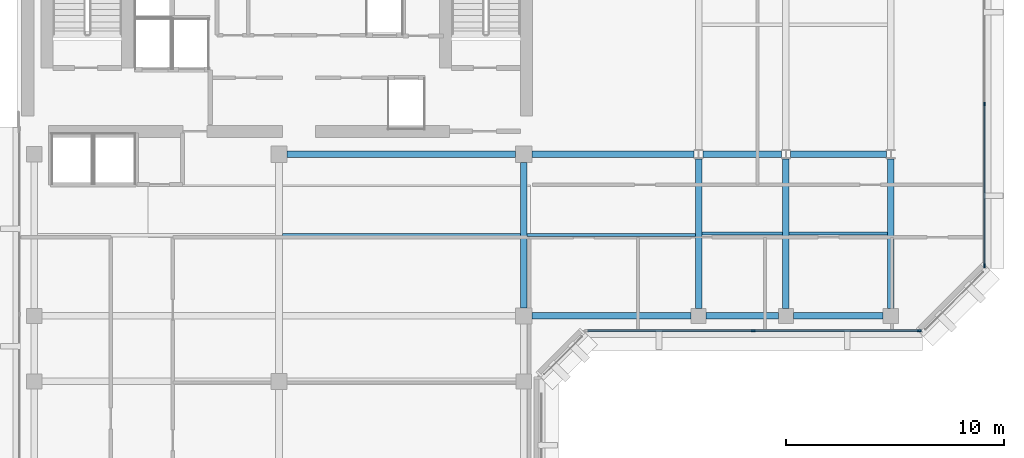
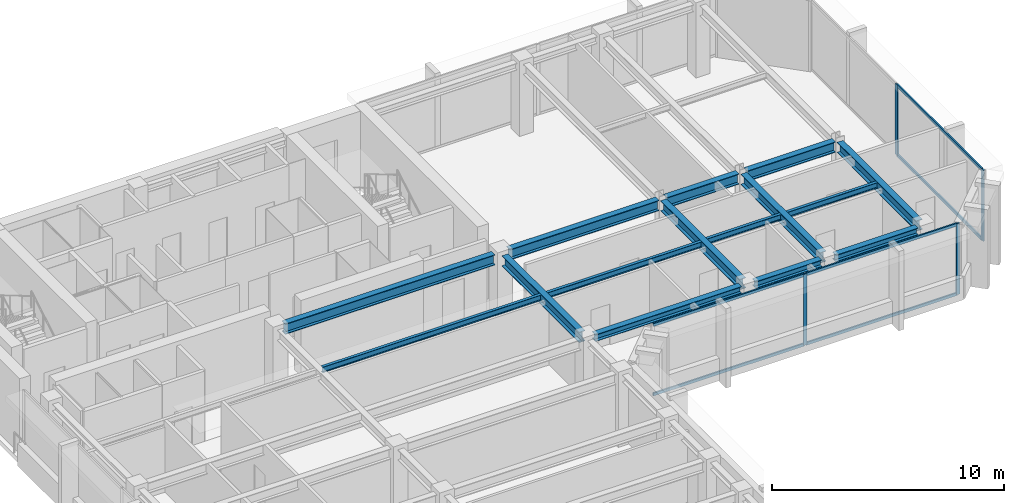
# One storey, part 3 of 12: 15 beams, 10 members, 2 elements without a shape of their own.
"""IFC4 building model written with IfcOpenShell, lengths in metres."""

from ifc_helpers import new_model, si_unit, direction, frame, origin, origin_2d, place, context, subcontext, project, spatial, rectangle, i_section, extrude, material, layer, layer_set, material_profile, profile_set, type_object, element, aggregate, save


model = new_model("IFC4")

# Units and contexts
model_context = context("Model", 3, precision=1e-05, world=origin(), true_north=direction((0.0, 1.0)))
body_context = subcontext(model_context, "Body", "Model", "MODEL_VIEW")
ifc_project = project(units=[si_unit("LENGTHUNIT", "METRE"), si_unit("AREAUNIT", "SQUARE_METRE"), si_unit("VOLUMEUNIT", "CUBIC_METRE"), si_unit("PLANEANGLEUNIT", "RADIAN"), si_unit("MASSUNIT", "GRAM", prefix="KILO")], contexts=[model_context])

# Site, building, storey
site_placement = place(None, origin())
site = spatial("IfcSite", under=ifc_project, at=site_placement, CompositionType="ELEMENT")
building_placement = place(site_placement, origin())
building = spatial("IfcBuilding", under=site, at=building_placement, Name="Kefirva Bronze Tower", CompositionType="ELEMENT")
storey_placement = place(building_placement, frame((0.0, 0.0, 280.169921875)))
storey = spatial("IfcBuildingStorey", under=building, at=storey_placement, Name="L68", CompositionType="ELEMENT", Elevation=280.169921875)

# Curtain wall, members
ifc_material_1 = material(Name="Bronze anodised aluminium", Category="aluminium")
ifc_layer = layer(ifc_material_1, 0.179931640625, Name="Bronze anodised aluminium")
ifc_layer_set = layer_set([ifc_layer], Name="Bronze anodised aluminium")
curtain_wall_type = type_object("IfcCurtainWallType", Name="Unitised Bronze Ribbon Curtain Wall Zone 4", PredefinedType="USERDEFINED", material=ifc_layer_set)
curtain_wall_1_placement = place(storey_placement, origin())
curtain_wall_1 = element("IfcCurtainWall", 1, at=curtain_wall_1_placement, inside=storey, type_object=curtain_wall_type, Name="L68 Curtain Wall 1", ObjectType="UNITISED CURTAIN WALL", PredefinedType="USERDEFINED")
ifc_material_profile_1 = material_profile(ifc_material_1, rectangle(XDim=0.074951171875, YDim=0.179931640625, at=origin_2d()), Name="ALU 75x180")
ifc_profile_set_1 = profile_set([ifc_material_profile_1], Name="Bronze anodised aluminium")
member_type_1 = type_object("IfcMemberType", Name="Bronze Mullion 75x180", PredefinedType="MULLION", material=ifc_profile_set_1)
member_1_placement = place(storey_placement, frame((33.699951171875, 25.1201171875, 0.0), z_axis=(0.0, 0.0, 1.0), x_axis=(0.0, 1.0, 0.0)))
member_1 = element("IfcMember", 2, at=member_1_placement, type_object=member_type_1, Name="CW-04 mullion 2", PredefinedType="MULLION", context=body_context, shape_type="SweptSolid", body=[
    extrude(rectangle(XDim=0.074951171875, YDim=0.179931640625, at=origin_2d()), origin(), (0.0, 0.0, 1.0), 3.739990234375),
])
member_2_placement = place(storey_placement, frame((41.3076171875, 25.1201171875, 0.0), z_axis=(0.0, 0.0, 1.0), x_axis=(0.0, 1.0, 0.0)))
member_2 = element("IfcMember", 3, at=member_2_placement, type_object=member_type_1, Name="CW-04 mullion 3", PredefinedType="MULLION", context=body_context, shape_type="SweptSolid", body=[
    extrude(rectangle(XDim=0.074951171875, YDim=0.179931640625, at=origin_2d()), origin(), (0.0, 0.0, 1.0), 3.739990234375),
])

curtain_wall_2_placement = place(storey_placement, origin())
curtain_wall_2 = element("IfcCurtainWall", 4, at=curtain_wall_2_placement, inside=storey, type_object=curtain_wall_type, Name="L68 Curtain Wall 2", ObjectType="UNITISED CURTAIN WALL", PredefinedType="USERDEFINED")
member_3_placement = place(storey_placement, frame((44.280029296875, 28.092529296875, 0.0), z_axis=(0.0, 0.0, 1.0), x_axis=(-1.0, 0.0, 0.0)))
member_3 = element("IfcMember", 5, at=member_3_placement, type_object=member_type_1, Name="CW-04 mullion 1", PredefinedType="MULLION", context=body_context, shape_type="SweptSolid", body=[
    extrude(rectangle(XDim=0.074951171875, YDim=0.179931640625, at=origin_2d()), origin(), (0.0, 0.0, 1.0), 3.739990234375),
])
member_4_placement = place(storey_placement, frame((44.280029296875, 35.5, 0.0), z_axis=(0.0, 0.0, 1.0), x_axis=(-1.0, 0.0, 0.0)))
member_4 = element("IfcMember", 6, at=member_4_placement, type_object=member_type_1, Name="CW-04 mullion 2", PredefinedType="MULLION", context=body_context, shape_type="SweptSolid", body=[
    extrude(rectangle(XDim=0.074951171875, YDim=0.179931640625, at=origin_2d()), origin(), (0.0, 0.0, 1.0), 3.739990234375),
])

# Member
ifc_material_profile_2 = material_profile(ifc_material_1, rectangle(XDim=0.074951171875, YDim=0.14990234375, at=origin_2d()), Name="ALU 75x150")
ifc_profile_set_2 = profile_set([ifc_material_profile_2], Name="Bronze anodised aluminium")
member_type_2 = type_object("IfcMemberType", Name="Bronze Transom 75x150", PredefinedType="USERDEFINED", material=ifc_profile_set_2)
member_5_placement = place(storey_placement, frame((26.1298828125, 25.1201171875, 0.03759765625), z_axis=(1.0, 0.0, 0.0), x_axis=(0.0, 1.0, 0.0)))
member_5 = element("IfcMember", 7, at=member_5_placement, type_object=member_type_2, Name="CW-04 transom 1.1", ObjectType="TRANSOM", PredefinedType="USERDEFINED", context=body_context, shape_type="SweptSolid", body=[
    extrude(rectangle(XDim=0.074951171875, YDim=0.14990234375, at=origin_2d()), origin(), (0.0, 0.0, 1.0), 7.53271484375),
])

member_6_placement = place(storey_placement, frame((26.1298828125, 25.1201171875, 3.70263671875), z_axis=(1.0, 0.0, 0.0), x_axis=(0.0, 1.0, 0.0)))
member_6 = element("IfcMember", 8, at=member_6_placement, type_object=member_type_2, Name="CW-04 transom 1.2", ObjectType="TRANSOM", PredefinedType="USERDEFINED", context=body_context, shape_type="SweptSolid", body=[
    extrude(rectangle(XDim=0.074951171875, YDim=0.14990234375, at=origin_2d()), origin(), (0.0, 0.0, 1.0), 7.53271484375),
])

member_7_placement = place(storey_placement, frame((33.737548828125, 25.1201171875, 0.03759765625), z_axis=(1.0, 0.0, 0.0), x_axis=(0.0, 1.0, 0.0)))
member_7 = element("IfcMember", 9, at=member_7_placement, type_object=member_type_2, Name="CW-04 transom 2.1", ObjectType="TRANSOM", PredefinedType="USERDEFINED", context=body_context, shape_type="SweptSolid", body=[
    extrude(rectangle(XDim=0.074951171875, YDim=0.14990234375, at=origin_2d()), origin(), (0.0, 0.0, 1.0), 7.532470703125),
])

member_8_placement = place(storey_placement, frame((33.737548828125, 25.1201171875, 3.70263671875), z_axis=(1.0, 0.0, 0.0), x_axis=(0.0, 1.0, 0.0)))
member_8 = element("IfcMember", 10, at=member_8_placement, type_object=member_type_2, Name="CW-04 transom 2.2", ObjectType="TRANSOM", PredefinedType="USERDEFINED", context=body_context, shape_type="SweptSolid", body=[
    extrude(rectangle(XDim=0.074951171875, YDim=0.14990234375, at=origin_2d()), origin(), (0.0, 0.0, 1.0), 7.532470703125),
])

aggregate(curtain_wall_1, [member_1, member_2, member_5, member_6, member_7, member_8])

member_9_placement = place(storey_placement, frame((44.280029296875, 28.1298828125, 0.03759765625), z_axis=(0.0, 1.0, 0.0), x_axis=(-1.0, 0.0, 0.0)))
member_9 = element("IfcMember", 11, at=member_9_placement, type_object=member_type_2, Name="CW-04 transom 1.1", ObjectType="TRANSOM", PredefinedType="USERDEFINED", context=body_context, shape_type="SweptSolid", body=[
    extrude(rectangle(XDim=0.074951171875, YDim=0.14990234375, at=origin_2d()), origin(), (0.0, 0.0, 1.0), 7.33251953125),
])

member_10_placement = place(storey_placement, frame((44.280029296875, 28.1298828125, 3.70263671875), z_axis=(0.0, 1.0, 0.0), x_axis=(-1.0, 0.0, 0.0)))
member_10 = element("IfcMember", 12, at=member_10_placement, type_object=member_type_2, Name="CW-04 transom 1.2", ObjectType="TRANSOM", PredefinedType="USERDEFINED", context=body_context, shape_type="SweptSolid", body=[
    extrude(rectangle(XDim=0.074951171875, YDim=0.14990234375, at=origin_2d()), origin(), (0.0, 0.0, 1.0), 7.33251953125),
])

aggregate(curtain_wall_2, [member_3, member_4, member_9, member_10])

# Beams
ifc_material_2 = material(Name="Steel S355", Category="steel")
ifc_material_profile_3 = material_profile(ifc_material_2, i_section(OverallWidth=0.14990234375, OverallDepth=0.300048828125, WebThickness=0.007080078125, FlangeThickness=0.0107421875, at=origin_2d()), Name="IPE 300")
ifc_profile_set_3 = profile_set([ifc_material_profile_3], Name="Steel S355")
beam_type_1 = type_object("IfcBeamType", Name="Steel Floor Joist IPE 300", PredefinedType="JOIST", material=ifc_profile_set_3)
beam_1_placement = place(storey_placement, frame((12.14990234375, 29.5, 3.590087890625), z_axis=(1.0, 0.0, 0.0), x_axis=(0.0, 1.0, 0.0)))
element("IfcBeam", 13, at=beam_1_placement, inside=storey, type_object=beam_type_1, Name="L68 JST-L68-12-295", PredefinedType="JOIST", context=body_context, shape_type="SweptSolid", body=[
    extrude(i_section(OverallWidth=0.14990234375, OverallDepth=0.300048828125, WebThickness=0.007080078125, FlangeThickness=0.0107421875, at=origin_2d()), origin(), (0.0, 0.0, 1.0), 10.900146484375),
])
beam_2_placement = place(storey_placement, frame((23.35009765625, 29.5, 3.590087890625), z_axis=(1.0, 0.0, 0.0), x_axis=(0.0, 1.0, 0.0)))
element("IfcBeam", 14, at=beam_2_placement, inside=storey, type_object=beam_type_1, Name="L68 JST-L68-23-295", PredefinedType="JOIST", context=body_context, shape_type="SweptSolid", body=[
    extrude(i_section(OverallWidth=0.14990234375, OverallDepth=0.300048828125, WebThickness=0.007080078125, FlangeThickness=0.0107421875, at=origin_2d()), origin(), (0.0, 0.0, 1.0), 7.699951171875),
])
beam_3_placement = place(storey_placement, frame((31.35009765625, 29.571044921875, 3.590087890625), z_axis=(1.0, 0.0, 0.0), x_axis=(0.0, 1.0, 0.0)))
element("IfcBeam", 15, at=beam_3_placement, inside=storey, type_object=beam_type_1, Name="L68 JST-L68-31-295", PredefinedType="JOIST", context=body_context, shape_type="SweptSolid", body=[
    extrude(i_section(OverallWidth=0.14990234375, OverallDepth=0.300048828125, WebThickness=0.007080078125, FlangeThickness=0.0107421875, at=origin_2d()), origin(), (0.0, 0.0, 1.0), 3.699951171875),
])
beam_4_placement = place(storey_placement, frame((35.35009765625, 29.571044921875, 3.590087890625), z_axis=(1.0, 0.0, 0.0), x_axis=(0.0, 1.0, 0.0)))
element("IfcBeam", 16, at=beam_4_placement, inside=storey, type_object=beam_type_1, Name="L68 JST-L68-35-295", PredefinedType="JOIST", context=body_context, shape_type="SweptSolid", body=[
    extrude(i_section(OverallWidth=0.14990234375, OverallDepth=0.300048828125, WebThickness=0.007080078125, FlangeThickness=0.0107421875, at=origin_2d()), origin(), (0.0, 0.0, 1.0), 4.5),
])
ifc_material_profile_4 = material_profile(ifc_material_2, i_section(OverallWidth=0.300048828125, OverallDepth=0.550048828125, WebThickness=0.014892578125, FlangeThickness=0.029052734375, at=origin_2d()), Name="HEB 550")
ifc_profile_set_4 = profile_set([ifc_material_profile_4], Name="Steel S355")
beam_type_2 = type_object("IfcBeamType", Name="Steel Girder HEB 550", PredefinedType="USERDEFINED", material=ifc_profile_set_4)
beam_5_placement = place(storey_placement, frame((12.3701171875, 33.199951171875, 3.465087890625), z_axis=(1.0, 0.0, 0.0), x_axis=(0.0, 1.0, 0.0)))
element("IfcBeam", 17, at=beam_5_placement, inside=storey, type_object=beam_type_2, Name="L68 BM-L68-EW-12-332", ObjectType="GIRDER", PredefinedType="USERDEFINED", context=body_context, shape_type="SweptSolid", body=[
    extrude(i_section(OverallWidth=0.300048828125, OverallDepth=0.550048828125, WebThickness=0.014892578125, FlangeThickness=0.029052734375, at=origin_2d()), origin(), (0.0, 0.0, 1.0), 10.4599609375),
])
beam_6_placement = place(storey_placement, frame((23.570068359375, 33.199951171875, 3.465087890625), z_axis=(1.0, 0.0, 0.0), x_axis=(0.0, 1.0, 0.0)))
element("IfcBeam", 18, at=beam_6_placement, inside=storey, type_object=beam_type_2, Name="L68 BM-L68-EW-23-332", ObjectType="GIRDER", PredefinedType="USERDEFINED", context=body_context, shape_type="SweptSolid", body=[
    extrude(i_section(OverallWidth=0.300048828125, OverallDepth=0.550048828125, WebThickness=0.014892578125, FlangeThickness=0.029052734375, at=origin_2d()), origin(), (0.0, 0.0, 1.0), 7.427001953125),
])
beam_7_placement = place(storey_placement, frame((31.403076171875, 33.199951171875, 3.465087890625), z_axis=(1.0, 0.0, 0.0), x_axis=(0.0, 1.0, 0.0)))
element("IfcBeam", 19, at=beam_7_placement, inside=storey, type_object=beam_type_2, Name="L68 BM-L68-EW-31-332", ObjectType="GIRDER", PredefinedType="USERDEFINED", context=body_context, shape_type="SweptSolid", body=[
    extrude(i_section(OverallWidth=0.300048828125, OverallDepth=0.550048828125, WebThickness=0.014892578125, FlangeThickness=0.029052734375, at=origin_2d()), origin(), (0.0, 0.0, 1.0), 3.593994140625),
])
beam_8_placement = place(storey_placement, frame((35.403076171875, 33.199951171875, 3.465087890625), z_axis=(1.0, 0.0, 0.0), x_axis=(0.0, 1.0, 0.0)))
element("IfcBeam", 20, at=beam_8_placement, inside=storey, type_object=beam_type_2, Name="L68 BM-L68-EW-35-332", ObjectType="GIRDER", PredefinedType="USERDEFINED", context=body_context, shape_type="SweptSolid", body=[
    extrude(i_section(OverallWidth=0.300048828125, OverallDepth=0.550048828125, WebThickness=0.014892578125, FlangeThickness=0.029052734375, at=origin_2d()), origin(), (0.0, 0.0, 1.0), 4.39404296875),
])
beam_9_placement = place(storey_placement, frame((23.199951171875, 26.169921875, 3.465087890625), z_axis=(0.0, 1.0, 0.0), x_axis=(-1.0, 0.0, 0.0)))
element("IfcBeam", 21, at=beam_9_placement, inside=storey, type_object=beam_type_2, Name="L68 BM-L68-NS-232-25", ObjectType="GIRDER", PredefinedType="USERDEFINED", context=body_context, shape_type="SweptSolid", body=[
    extrude(i_section(OverallWidth=0.300048828125, OverallDepth=0.550048828125, WebThickness=0.014892578125, FlangeThickness=0.029052734375, at=origin_2d()), origin(), (0.0, 0.0, 1.0), 6.66015625),
])
for number, where, z_axis, x_axis, name in (
    (22, (31.199951171875, 26.14990234375, 3.465087890625), (0.0, 1.0, 0.0), (-1.0, 0.0, 0.0), "L68 BM-L68-NS-312-25"),
    (23, (35.199951171875, 26.14990234375, 3.465087890625), (0.0, 1.0, 0.0), (-1.0, 0.0, 0.0), "L68 BM-L68-NS-352-25"),
    (24, (40.0, 26.14990234375, 3.465087890625), (0.0, 1.0, 0.0), (-1.0, 0.0, 0.0), "L68 BM-L68-NS-400-25"),
):
    element("IfcBeam", number, at=place(storey_placement, frame(where, z_axis=z_axis, x_axis=x_axis)), inside=storey, type_object=beam_type_2, Name=name, ObjectType="GIRDER", PredefinedType="USERDEFINED", context=body_context, shape_type="SweptSolid", body=[
        extrude(i_section(OverallWidth=0.300048828125, OverallDepth=0.550048828125, WebThickness=0.014892578125, FlangeThickness=0.029052734375, at=origin_2d()), origin(), (0.0, 0.0, 1.0), 6.842041015625),
    ])
ifc_material_profile_5 = material_profile(ifc_material_2, i_section(OverallWidth=0.300048828125, OverallDepth=0.360107421875, WebThickness=0.012451171875, FlangeThickness=0.0224609375, at=origin_2d()), Name="HEB 360")
ifc_profile_set_5 = profile_set([ifc_material_profile_5], Name="Steel S355")
beam_type_3 = type_object("IfcBeamType", Name="Steel Spandrel HEB 360 Ext", PredefinedType="SPANDREL", material=ifc_profile_set_5)
beam_10_placement = place(storey_placement, frame((23.570068359375, 25.800048828125, 3.56005859375), z_axis=(1.0, 0.0, 0.0), x_axis=(0.0, 1.0, 0.0)))
element("IfcBeam", 25, at=beam_10_placement, inside=storey, type_object=beam_type_3, Name="L68 BM-L68-EW-23-258", PredefinedType="SPANDREL", context=body_context, shape_type="SweptSolid", body=[
    extrude(i_section(OverallWidth=0.300048828125, OverallDepth=0.360107421875, WebThickness=0.012451171875, FlangeThickness=0.0224609375, at=origin_2d()), origin(), (0.0, 0.0, 1.0), 7.280029296875),
])
beam_11_placement = place(storey_placement, frame((31.550048828125, 25.800048828125, 3.56005859375), z_axis=(1.0, 0.0, 0.0), x_axis=(0.0, 1.0, 0.0)))
element("IfcBeam", 26, at=beam_11_placement, inside=storey, type_object=beam_type_3, Name="L68 BM-L68-EW-31-258", PredefinedType="SPANDREL", context=body_context, shape_type="SweptSolid", body=[
    extrude(i_section(OverallWidth=0.300048828125, OverallDepth=0.360107421875, WebThickness=0.012451171875, FlangeThickness=0.0224609375, at=origin_2d()), origin(), (0.0, 0.0, 1.0), 3.300048828125),
])
beam_12_placement = place(storey_placement, frame((35.550048828125, 25.800048828125, 3.56005859375), z_axis=(1.0, 0.0, 0.0), x_axis=(0.0, 1.0, 0.0)))
element("IfcBeam", 27, at=beam_12_placement, inside=storey, type_object=beam_type_3, Name="L68 BM-L68-EW-35-258", PredefinedType="SPANDREL", context=body_context, shape_type="SweptSolid", body=[
    extrude(i_section(OverallWidth=0.300048828125, OverallDepth=0.360107421875, WebThickness=0.012451171875, FlangeThickness=0.0224609375, at=origin_2d()), origin(), (0.0, 0.0, 1.0), 4.099853515625),
])

save(model, "model.ifc")
